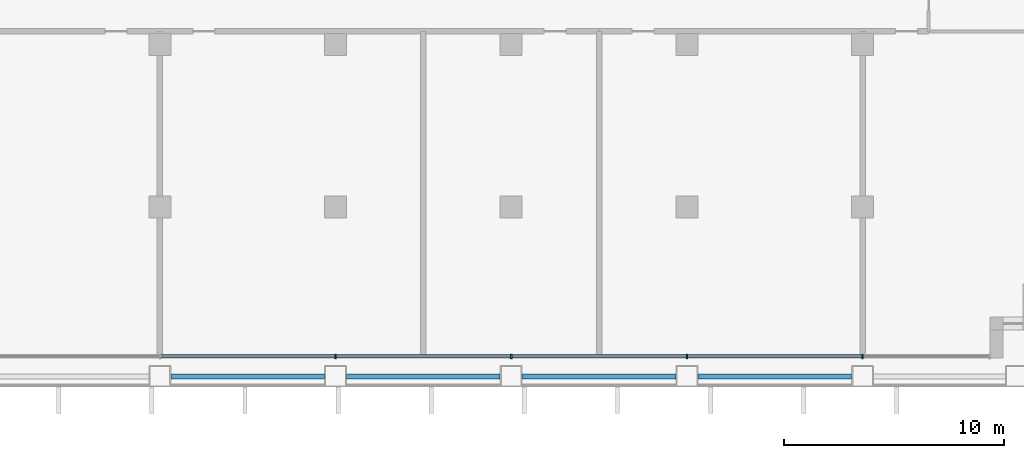
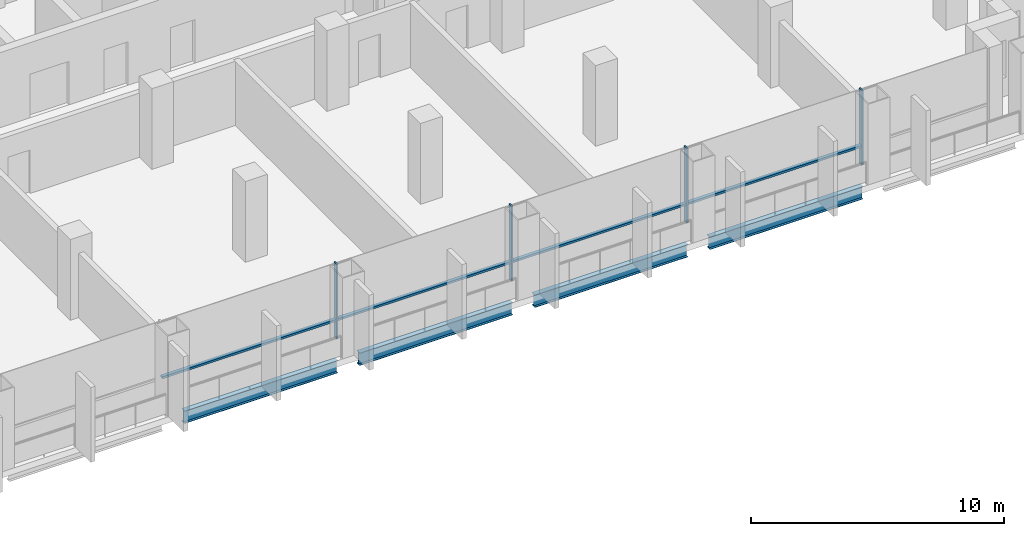
# One storey, part 3 of 13: 8 members, 4 beams, 1 element without a shape of its own.
"""IFC4 building model written with IfcOpenShell, lengths in metres."""

import ifcopenshell
import ifcopenshell.guid

model = None  # the IFC model being written
_history = None  # IfcOwnerHistory: only IFC2X3 demands one
_inside = {}  # id of a spatial element -> (the spatial element, [elements in it])
_under = {}  # id of a project, library or spatial element -> (it, [spatial elements below it])
_declared = {}  # id of a project -> (the project, [libraries it declares])
_typed = {}  # id of a type object -> (the type object, [elements of that type])
_made_of = {}  # id of a material, layer set ... -> (it, [elements and type objects made of it])


def new_model(schema):
    """Start an empty IFC model of exactly this schema.

    Asked for "IFC4X3", IfcOpenShell would pick the latest addendum, in which some entities
    have other attributes; the version numbers below select the first issue.
    IFC2X3 requires an IfcOwnerHistory on every rooted entity: one is made here for all.
    """
    global model, _history
    if schema == "IFC4X3":
        model = ifcopenshell.file(schema_version=(4, 3, 0, 0))
    else:
        model = ifcopenshell.file(schema=schema)
    _inside.clear()
    _under.clear()
    _declared.clear()
    _typed.clear()
    _made_of.clear()
    _history = None
    if model.schema == "IFC2X3":
        org = make("IfcOrganization", Name="unknown")
        user = make(
            "IfcPersonAndOrganization",
            ThePerson=make("IfcPerson", FamilyName="unknown"),
            TheOrganization=org,
        )
        app = make(
            "IfcApplication",
            ApplicationDeveloper=org,
            Version="unknown",
            ApplicationFullName="unknown",
            ApplicationIdentifier="unknown",
        )
        _history = make(
            "IfcOwnerHistory",
            OwningUser=user,
            OwningApplication=app,
            ChangeAction="ADDED",
            CreationDate=0,
        )
    return model


def make(cls, **values):
    """One entity of the class cls with the attributes given. An attribute that is None is left unset."""
    return model.create_entity(
        cls, **{name: value for name, value in values.items() if value is not None}
    )


def rooted(cls, **values):
    """An entity with a GlobalId (a new one), such as an element, a storey or a relation."""
    return make(cls, GlobalId=ifcopenshell.guid.new(), OwnerHistory=_history, **values)


def si_unit(unit_type, name, prefix=None):
    """IfcSIUnit, for example si_unit("LENGTHUNIT", "METRE", prefix="MILLI")."""
    return make("IfcSIUnit", UnitType=unit_type, Prefix=prefix, Name=name)


def assignment(units):
    """IfcUnitAssignment: the units of a project."""
    return None if units is None else make("IfcUnitAssignment", Units=units)


def point(xyz):
    """IfcCartesianPoint."""
    return None if xyz is None else make("IfcCartesianPoint", Coordinates=xyz)


def direction(xyz):
    """IfcDirection."""
    return None if xyz is None else make("IfcDirection", DirectionRatios=xyz)


def frame(location, z_axis=None, x_axis=None):
    """IfcAxis2Placement3D, a coordinate frame: its origin and axes. An axis left out is left unset."""
    return make(
        "IfcAxis2Placement3D",
        Location=point(location),
        Axis=direction(z_axis),
        RefDirection=direction(x_axis),
    )


def frame_2d(location, x_axis=None):
    """IfcAxis2Placement2D, a coordinate frame in the plane: its origin and x axis."""
    return make(
        "IfcAxis2Placement2D", Location=point(location), RefDirection=direction(x_axis)
    )


def origin():
    """The frame at (0, 0, 0) with its axes left unset."""
    return frame((0.0, 0.0, 0.0))


def origin_2d():
    """The frame at (0, 0) in the plane with its x axis left unset."""
    return frame_2d((0.0, 0.0))


def place(relative_to, where):
    """IfcLocalPlacement: puts the frame where relative to a parent placement (None: the world)."""
    return make(
        "IfcLocalPlacement", PlacementRelTo=relative_to, RelativePlacement=where
    )


def context(
    kind, dimensions, precision=None, world=None, true_north=None, identifier=None
):
    """IfcGeometricRepresentationContext, for example the 3D "Model" context."""
    return make(
        "IfcGeometricRepresentationContext",
        ContextIdentifier=identifier,
        ContextType=kind,
        CoordinateSpaceDimension=dimensions,
        Precision=precision,
        WorldCoordinateSystem=world,
        TrueNorth=true_north,
    )


def subcontext(parent, identifier, kind, view, scale=None):
    """IfcGeometricRepresentationSubContext, for example "Body" below "Model"."""
    return make(
        "IfcGeometricRepresentationSubContext",
        ContextIdentifier=identifier,
        ContextType=kind,
        ParentContext=parent,
        TargetScale=scale,
        TargetView=view,
    )


def project(units=None, contexts=None):
    """IfcProject with its units and contexts."""
    return rooted(
        "IfcProject",
        Name="project",
        RepresentationContexts=contexts,
        UnitsInContext=assignment(units),
    )


def spatial(cls, under=None, at=None, **own):
    """A site, building, storey or space (cls), placed at a placement, below another one or the project."""
    s = rooted(cls, ObjectPlacement=at, **own)
    if under is not None:
        _under.setdefault(under.id(), (under, []))[1].append(s)
    return s


def profile(cls, at=None, kind="AREA", **sizes):
    """A parametric profile (cls). Its sizes go by their IFC names, for example OverallWidth=200.0."""
    return make(cls, ProfileType=kind, Position=at, **sizes)


def rectangle(**sizes):
    """IfcRectangleProfileDef."""
    return profile("IfcRectangleProfileDef", **sizes)


def i_section(**sizes):
    """IfcIShapeProfileDef."""
    return profile("IfcIShapeProfileDef", **sizes)


def extrude(swept, where, along, depth):
    """IfcExtrudedAreaSolid: the profile swept, set in the frame where, extruded along a direction by depth."""
    return make(
        "IfcExtrudedAreaSolid",
        SweptArea=swept,
        Position=where,
        ExtrudedDirection=direction(along),
        Depth=depth,
    )


def shape(context_of_items, identifier, shape_type, items):
    """IfcShapeRepresentation: the items that make up one representation, for example the "Body"."""
    return make(
        "IfcShapeRepresentation",
        ContextOfItems=context_of_items,
        RepresentationIdentifier=identifier,
        RepresentationType=shape_type,
        Items=items,
    )


def material(Name=None, Category=None):
    """IfcMaterial."""
    return make("IfcMaterial", Name=Name, Category=Category)


def material_profile(
    of_material, cross_section, Name=None, Category=None, Priority=None
):
    """IfcMaterialProfile: a cross section and its material."""
    return make(
        "IfcMaterialProfile",
        Name=Name,
        Material=of_material,
        Profile=cross_section,
        Priority=Priority,
        Category=Category,
    )


def profile_set(profiles, Name=None, composite=None):
    """IfcMaterialProfileSet."""
    return make(
        "IfcMaterialProfileSet",
        Name=Name,
        MaterialProfiles=profiles,
        CompositeProfile=composite,
    )


def made_of(thing, what):
    """Note that an element or type object is made of a material, layer set ...; save() writes the relation."""
    if what is not None:
        _made_of.setdefault(what.id(), (what, []))[1].append(thing)
    return thing


def type_object(cls, material=None, **own):
    """A type object (cls), such as IfcWallType, which elements share."""
    return made_of(rooted(cls, **own), material)


def element(
    cls,
    number,
    at=None,
    inside=None,
    cuts=None,
    type_object=None,
    material=None,
    context=None,
    identifier="Body",
    shape_type=None,
    held_by="IfcProductDefinitionShape",
    body=None,
    shapes=None,
    **own,
):
    """One element of the class cls, such as IfcWall. Its Tag is "e" and its number.

    at: its placement. inside: the storey or other place that contains it. cuts: it is an
    opening in that element (IfcRelVoidsElement). A single representation is given by context,
    identifier, shape_type and body (its items); several are given by shapes. held_by: the class
    of the entity that holds the representations. save() writes the other relations.
    """
    e = rooted(cls, Tag="e%d" % number, ObjectPlacement=at, **own)
    if body is not None:
        shapes = [shape(context, identifier, shape_type, body)]
    if shapes is not None:
        e.Representation = make(held_by, Representations=shapes)
    if inside is not None:
        _inside.setdefault(inside.id(), (inside, []))[1].append(e)
    if cuts is not None:
        rooted(
            "IfcRelVoidsElement", RelatingBuildingElement=cuts, RelatedOpeningElement=e
        )
    if type_object is not None:
        _typed.setdefault(type_object.id(), (type_object, []))[1].append(e)
    return made_of(e, material)


def aggregate(whole, parts):
    """IfcRelAggregates: a whole, such as a stair, and the parts it consists of."""
    return rooted("IfcRelAggregates", RelatingObject=whole, RelatedObjects=parts)


def save(model, path):
    """Write the relations noted so far, then the file.

    IfcRelAggregates (storeys below a building ...), IfcRelContainedInSpatialStructure (elements
    in a storey), IfcRelDefinesByType, IfcRelAssociatesMaterial and IfcRelDeclares: one each for
    every whole, place, type object, material and project.
    """
    for whole, parts in _under.values():
        aggregate(whole, parts)
    for where, things in _inside.values():
        rooted(
            "IfcRelContainedInSpatialStructure",
            RelatedElements=things,
            RelatingStructure=where,
        )
    for kind, things in _typed.values():
        rooted("IfcRelDefinesByType", RelatedObjects=things, RelatingType=kind)
    for what, things in _made_of.values():
        rooted("IfcRelAssociatesMaterial", RelatedObjects=things, RelatingMaterial=what)
    for by, libraries in _declared.values():
        rooted("IfcRelDeclares", RelatingContext=by, RelatedDefinitions=libraries)
    model.write(path)


model = new_model("IFC4")

# Units and contexts
model_context = context("Model", 3, precision=1e-05, world=origin(), true_north=direction((0.0, 1.0)))
body_context = subcontext(model_context, "Body", "Model", "MODEL_VIEW")
ifc_project = project(units=[si_unit("LENGTHUNIT", "METRE"), si_unit("AREAUNIT", "SQUARE_METRE"), si_unit("VOLUMEUNIT", "CUBIC_METRE"), si_unit("PLANEANGLEUNIT", "RADIAN"), si_unit("MASSUNIT", "GRAM", prefix="KILO")], contexts=[model_context])

# Site, building, storey
site_placement = place(None, origin())
site = spatial("IfcSite", under=ifc_project, at=site_placement, CompositionType="ELEMENT")
building_placement = place(site_placement, origin())
building = spatial("IfcBuilding", under=site, at=building_placement, Name="Vidyagriha Tower", CompositionType="ELEMENT")
storey_placement = place(building_placement, frame((0.0, 0.0, 37.699951171875)))
storey = spatial("IfcBuildingStorey", under=building, at=storey_placement, Name="L09", CompositionType="ELEMENT", Elevation=37.699951171875)

# Beams
ifc_material_1 = material(Name="Steel ASTM A992 Grade 50", Category="steel")
ifc_material_profile_1 = material_profile(ifc_material_1, i_section(OverallWidth=0.228271484375, OverallDepth=0.607177734375, WebThickness=0.01123046875, FlangeThickness=0.017333984375, at=origin_2d()), Name="W24X76")
ifc_profile_set_1 = profile_set([ifc_material_profile_1], Name="Steel ASTM A992 Grade 50")
beam_type = type_object("IfcBeamType", Name="Edge beam W24X76", PredefinedType="SPANDREL", material=ifc_profile_set_1)
for number, where, z_axis, x_axis, name in (
    (1, (-5.5, -17.10009765625, -0.603515625), (1.0, 0.0, 0.0), (0.0, 1.0, 0.0), "st-beam-L09-S05"),
    (2, (2.5, -17.10009765625, -0.603515625), (1.0, 0.0, 0.0), (0.0, 1.0, 0.0), "st-beam-L09-S06"),
    (3, (10.5, -17.10009765625, -0.603515625), (1.0, 0.0, 0.0), (0.0, 1.0, 0.0), "st-beam-L09-S07"),
    (4, (18.5, -17.10009765625, -0.603515625), (1.0, 0.0, 0.0), (0.0, 1.0, 0.0), "st-beam-L09-S08"),
):
    element("IfcBeam", number, at=place(storey_placement, frame(where, z_axis=z_axis, x_axis=x_axis)), inside=storey, type_object=beam_type, Name=name, PredefinedType="SPANDREL", context=body_context, shape_type="SweptSolid", body=[
        extrude(i_section(OverallWidth=0.228271484375, OverallDepth=0.607177734375, WebThickness=0.01123046875, FlangeThickness=0.017333984375, at=origin_2d()), origin(), (0.0, 0.0, 1.0), 7.0),
    ])

# Curtain wall, members
ifc_material_2 = material(Name="Aluminium and glass curtain wall", Category="aluminium")
curtain_wall_type = type_object("IfcCurtainWallType", Name="Classroom skin unitised curtain wall", PredefinedType="USERDEFINED", material=ifc_material_2)
curtain_wall_placement = place(storey_placement, origin())
curtain_wall = element("IfcCurtainWall", 5, at=curtain_wall_placement, inside=storey, type_object=curtain_wall_type, Name="CW2 classroom skin", ObjectType="UNITISED", PredefinedType="USERDEFINED")
ifc_material_3 = material(Name="Aluminium black anodised", Category="aluminium")
ifc_material_profile_2 = material_profile(ifc_material_3, rectangle(XDim=0.219970703125, YDim=0.070068359375, at=origin_2d()), Name="Mullion 70x220 black aluminium")
ifc_profile_set_2 = profile_set([ifc_material_profile_2], Name="Aluminium black anodised")
member_type_1 = type_object("IfcMemberType", Name="Mullion 70x220 black aluminium", PredefinedType="MULLION", material=ifc_profile_set_2)
member_1_placement = place(storey_placement, frame((2.0, -16.199951171875, 0.0), z_axis=(0.0, 0.0, 1.0), x_axis=(0.0, 1.0, 0.0)))
member_1 = element("IfcMember", 6, at=member_1_placement, type_object=member_type_1, Name="CW2 mullion 6", PredefinedType="MULLION", context=body_context, shape_type="SweptSolid", body=[
    extrude(rectangle(XDim=0.219970703125, YDim=0.070068359375, at=origin_2d()), origin(), (0.0, 0.0, 1.0), 3.6201171875),
])
member_2_placement = place(storey_placement, frame((10.0, -16.199951171875, 0.0), z_axis=(0.0, 0.0, 1.0), x_axis=(0.0, 1.0, 0.0)))
member_2 = element("IfcMember", 7, at=member_2_placement, type_object=member_type_1, Name="CW2 mullion 7", PredefinedType="MULLION", context=body_context, shape_type="SweptSolid", body=[
    extrude(rectangle(XDim=0.219970703125, YDim=0.070068359375, at=origin_2d()), origin(), (0.0, 0.0, 1.0), 3.6201171875),
])
member_3_placement = place(storey_placement, frame((18.0, -16.199951171875, 0.0), z_axis=(0.0, 0.0, 1.0), x_axis=(0.0, 1.0, 0.0)))
member_3 = element("IfcMember", 8, at=member_3_placement, type_object=member_type_1, Name="CW2 mullion 8", PredefinedType="MULLION", context=body_context, shape_type="SweptSolid", body=[
    extrude(rectangle(XDim=0.219970703125, YDim=0.070068359375, at=origin_2d()), origin(), (0.0, 0.0, 1.0), 3.6201171875),
])
member_4_placement = place(storey_placement, frame((26.0, -16.199951171875, 0.0), z_axis=(0.0, 0.0, 1.0), x_axis=(0.0, 1.0, 0.0)))
member_4 = element("IfcMember", 9, at=member_4_placement, type_object=member_type_1, Name="CW2 mullion 9", PredefinedType="MULLION", context=body_context, shape_type="SweptSolid", body=[
    extrude(rectangle(XDim=0.219970703125, YDim=0.070068359375, at=origin_2d()), origin(), (0.0, 0.0, 1.0), 3.6201171875),
])
ifc_material_4 = material(Name="Aluminium black anodised", Category="aluminium")
ifc_material_profile_3 = material_profile(ifc_material_4, rectangle(XDim=0.159912109375, YDim=0.10009765625, at=origin_2d()), Name="Transom 100x160 black aluminium")
ifc_profile_set_3 = profile_set([ifc_material_profile_3], Name="Aluminium black anodised")
member_type_2 = type_object("IfcMemberType", Name="Transom 100x160 black aluminium", PredefinedType="USERDEFINED", material=ifc_profile_set_3)
member_5_placement = place(storey_placement, frame((-5.965087890625, -16.199951171875, 0.900146484375), z_axis=(1.0, 0.0, 0.0), x_axis=(0.0, 1.0, 0.0)))
member_5 = element("IfcMember", 10, at=member_5_placement, type_object=member_type_2, Name="CW2 transom 5.1", ObjectType="TRANSOM", PredefinedType="USERDEFINED", context=body_context, shape_type="SweptSolid", body=[
    extrude(rectangle(XDim=0.159912109375, YDim=0.10009765625, at=origin_2d()), origin(), (0.0, 0.0, 1.0), 7.93017578125),
])
member_6_placement = place(storey_placement, frame((2.034912109375, -16.199951171875, 0.900146484375), z_axis=(1.0, 0.0, 0.0), x_axis=(0.0, 1.0, 0.0)))
member_6 = element("IfcMember", 11, at=member_6_placement, type_object=member_type_2, Name="CW2 transom 6.1", ObjectType="TRANSOM", PredefinedType="USERDEFINED", context=body_context, shape_type="SweptSolid", body=[
    extrude(rectangle(XDim=0.159912109375, YDim=0.10009765625, at=origin_2d()), origin(), (0.0, 0.0, 1.0), 7.93017578125),
])
member_7_placement = place(storey_placement, frame((10.034912109375, -16.199951171875, 0.900146484375), z_axis=(1.0, 0.0, 0.0), x_axis=(0.0, 1.0, 0.0)))
member_7 = element("IfcMember", 12, at=member_7_placement, type_object=member_type_2, Name="CW2 transom 7.1", ObjectType="TRANSOM", PredefinedType="USERDEFINED", context=body_context, shape_type="SweptSolid", body=[
    extrude(rectangle(XDim=0.159912109375, YDim=0.10009765625, at=origin_2d()), origin(), (0.0, 0.0, 1.0), 7.93017578125),
])
member_8_placement = place(storey_placement, frame((18.034912109375, -16.199951171875, 0.900146484375), z_axis=(1.0, 0.0, 0.0), x_axis=(0.0, 1.0, 0.0)))
member_8 = element("IfcMember", 13, at=member_8_placement, type_object=member_type_2, Name="CW2 transom 8.1", ObjectType="TRANSOM", PredefinedType="USERDEFINED", context=body_context, shape_type="SweptSolid", body=[
    extrude(rectangle(XDim=0.159912109375, YDim=0.10009765625, at=origin_2d()), origin(), (0.0, 0.0, 1.0), 7.93017578125),
])
aggregate(curtain_wall, [member_1, member_2, member_3, member_4, member_5, member_6, member_7, member_8])

save(model, "model.ifc")
